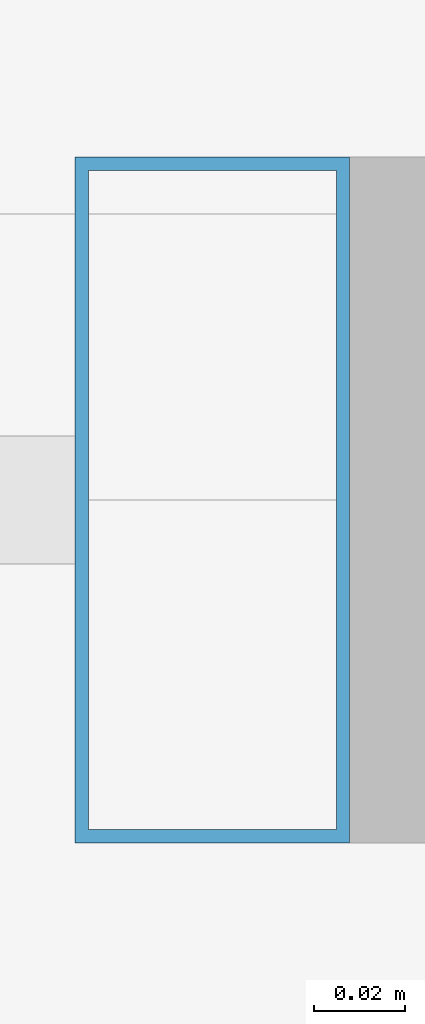
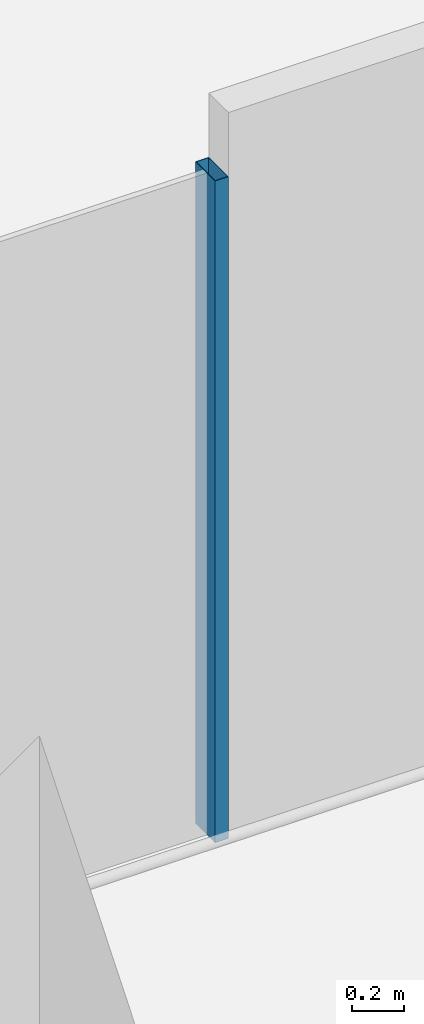
# One storey, part 7 of 56: 1 member, 1 element without a shape of its own.
"""IFC4 building model written with IfcOpenShell, lengths in metres."""

from ifc_helpers import new_model, si_unit, direction, frame, origin, origin_2d, place, context, subcontext, project, spatial, hollow_rectangle, extrude, material, material_profile, profile_set, type_object, element, aggregate, save


model = new_model("IFC4")

# Units and contexts
model_context = context("Model", 3, precision=1e-05, world=origin(), true_north=direction((0.0, 1.0)))
body_context = subcontext(model_context, "Body", "Model", "MODEL_VIEW")
ifc_project = project(units=[si_unit("LENGTHUNIT", "METRE"), si_unit("AREAUNIT", "SQUARE_METRE"), si_unit("VOLUMEUNIT", "CUBIC_METRE"), si_unit("PLANEANGLEUNIT", "RADIAN"), si_unit("MASSUNIT", "GRAM", prefix="KILO")], contexts=[model_context])

# Site, building, storey
site_placement = place(None, origin())
site = spatial("IfcSite", under=ifc_project, at=site_placement, CompositionType="ELEMENT")
building_placement = place(site_placement, origin())
building = spatial("IfcBuilding", under=site, at=building_placement, Name="Altepetl Exchange Towers", CompositionType="ELEMENT")
storey_placement = place(building_placement, frame((0.0, 0.0, 83.39990234375)))
storey = spatial("IfcBuildingStorey", under=building, at=storey_placement, Name="L20", CompositionType="ELEMENT", Elevation=83.39990234375)

# Curtain wall, member
ifc_material_1 = material(Name="Aluminium 6063-T6 glazing", Category="aluminium")
curtain_wall_type = type_object("IfcCurtainWallType", Name="Loggia glazing system", PredefinedType="NOTDEFINED", material=ifc_material_1)
curtain_wall_placement = place(storey_placement, origin())
curtain_wall = element("IfcCurtainWall", 1, at=curtain_wall_placement, inside=storey, type_object=curtain_wall_type, Name="CW1 run", PredefinedType="NOTDEFINED")
ifc_material_2 = material(Name="Aluminium 6063-T6", Category="aluminium")
ifc_material_profile = material_profile(ifc_material_2, hollow_rectangle(XDim=0.06005859375, YDim=0.14990234375, WallThickness=0.0029296875, at=origin_2d()), Name="Mullion 60x150 aluminium")
ifc_profile_set = profile_set([ifc_material_profile], Name="Aluminium 6063-T6")
member_type = type_object("IfcMemberType", Name="Mullion 60x150 aluminium", PredefinedType="MULLION", material=ifc_profile_set)
member_placement = place(storey_placement, frame((47.152099609375, 29.0, 0.0)))
member = element("IfcMember", 2, at=member_placement, type_object=member_type, Name="MU1 mullion", PredefinedType="MULLION", context=body_context, shape_type="SweptSolid", body=[
    extrude(hollow_rectangle(XDim=0.06005859375, YDim=0.14990234375, WallThickness=0.0029296875, at=origin_2d()), origin(), (0.0, 0.0, 1.0), 3.10009765625),
])
aggregate(curtain_wall, [member])

save(model, "model.ifc")
